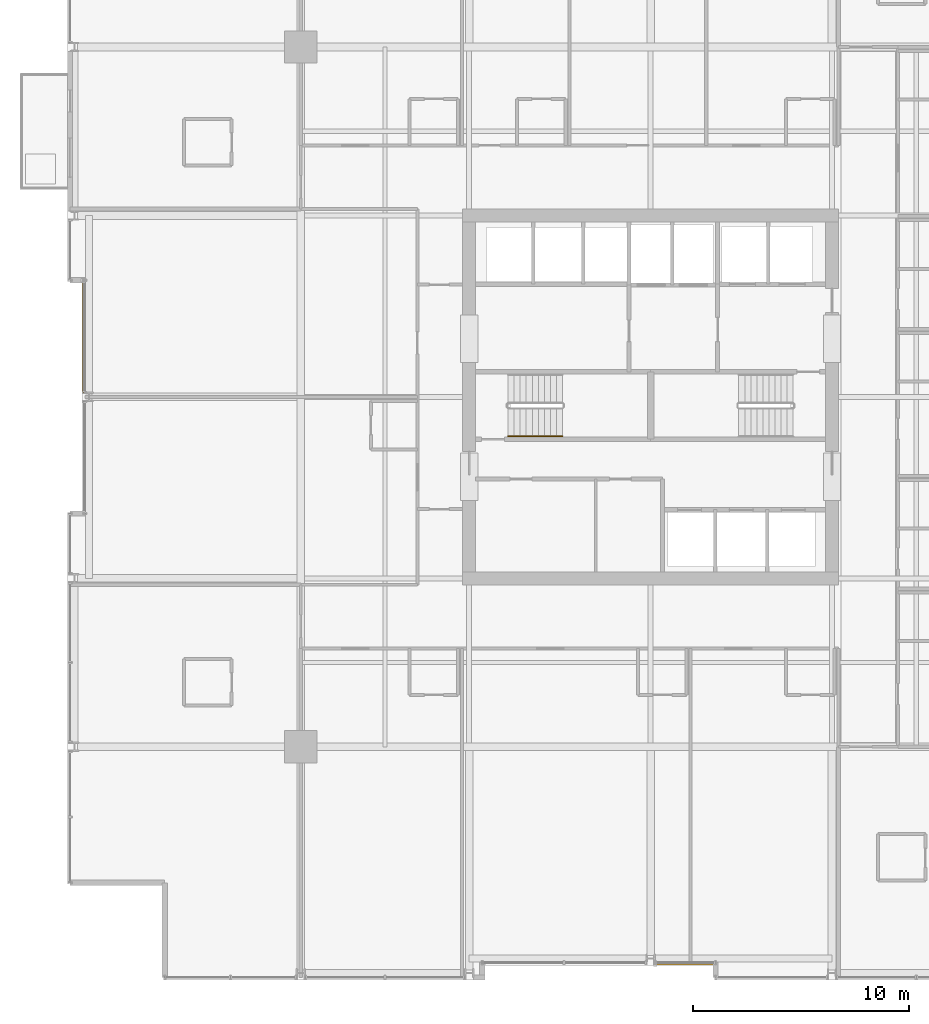
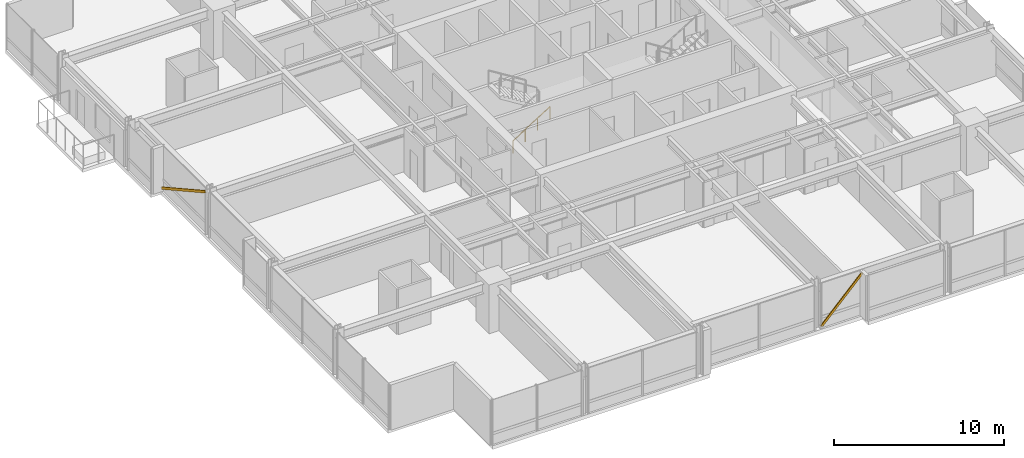
# One storey, part 33 of 35: 2 shading devices, 1 railing.
"""IFC4 building model written with IfcOpenShell, lengths in metres."""

from ifc_helpers import new_model, si_unit, direction, frame, origin, origin_2d, place, context, subcontext, project, spatial, hollow_rectangle, circle, extrude, material, material_profile, profile_set, type_object, element, save


model = new_model("IFC4")

# Units and contexts
model_context = context("Model", 3, precision=1e-05, world=origin(), true_north=direction((0.0, 1.0)))
body_context = subcontext(model_context, "Body", "Model", "MODEL_VIEW")
ifc_project = project(units=[si_unit("LENGTHUNIT", "METRE"), si_unit("AREAUNIT", "SQUARE_METRE"), si_unit("VOLUMEUNIT", "CUBIC_METRE"), si_unit("PLANEANGLEUNIT", "RADIAN"), si_unit("MASSUNIT", "GRAM", prefix="KILO")], contexts=[model_context])

# Site, building, storey
site_placement = place(None, origin())
site = spatial("IfcSite", under=ifc_project, at=site_placement, CompositionType="ELEMENT")
building_placement = place(site_placement, origin())
building = spatial("IfcBuilding", under=site, at=building_placement, Name="Drelvath Grand Hotel", CompositionType="ELEMENT")
storey_placement = place(building_placement, frame((0.0, 0.0, 123.300048828125)))
storey = spatial("IfcBuildingStorey", under=building, at=storey_placement, Name="L31", CompositionType="ELEMENT", Elevation=123.300048828125)

# Railing
ifc_material_1 = material(Name="Painted Steel S275", Category="steel")
railing_type = type_object("IfcRailingType", Name="Core Stair Wall Handrail 900", PredefinedType="HANDRAIL", material=ifc_material_1)
railing_placement = place(storey_placement, frame((-6.60009765625, 25.169921875, 0.175048828125)))
element("IfcRailing", 1, at=railing_placement, inside=storey, type_object=railing_type, Name="L31 ST-1 stair handrail 1", PredefinedType="HANDRAIL", context=body_context, shape_type="SweptSolid", body=[
    extrude(circle(Radius=0.02392578125, at=origin_2d()), frame((0.0, 0.0, 0.8759765625), z_axis=(0.848007534815, 0.0, 0.529984170421), x_axis=(0.0, 1.0, 0.0)), (0.0, 0.0, 1.0), 2.9716796875),
    extrude(circle(Radius=0.02099609375, at=origin_2d()), origin(), (0.0, 0.0, 1.0), 0.851806640625),
    extrude(circle(Radius=0.02099609375, at=origin_2d()), frame((0.840087890625, 0.0, 0.52490234375)), (0.0, 0.0, 1.0), 0.851806640625),
    extrude(circle(Radius=0.02099609375, at=origin_2d()), frame((1.679931640625, 0.0, 1.050048828125)), (0.0, 0.0, 1.0), 0.851806640625),
    extrude(circle(Radius=0.02099609375, at=origin_2d()), frame((2.52001953125, 0.0, 1.574951171875)), (0.0, 0.0, 1.0), 0.851806640625),
])

# Shading devices
ifc_material_2 = material(Name="Champagne Bronze Anodised Aluminium", Category="aluminium")
ifc_material_profile = material_profile(ifc_material_2, hollow_rectangle(XDim=0.06494140625, YDim=0.159912109375, WallThickness=0.00390625, at=origin_2d()), Name="HSS160X65X4")
ifc_profile_set = profile_set([ifc_material_profile], Name="Champagne Bronze Anodised Aluminium")
shading_device_type = type_object("IfcShadingDeviceType", Name="Diagonal Solar Fin Champagne Anodised HSS160X65X4", PredefinedType="USERDEFINED", material=ifc_profile_set)
shading_device_1_placement = place(storey_placement, frame((-26.280029296875, 32.39990234375, 0.179931640625), z_axis=(0.0, -0.874403549895, 0.485199373383), x_axis=(1.0, 0.0, 0.0)))
element("IfcShadingDevice", 2, at=shading_device_1_placement, inside=storey, type_object=shading_device_type, Name="L31 Diagonal Anodised Fin CW03-L31-WM2", ObjectType="FIN", PredefinedType="USERDEFINED", context=body_context, shape_type="SweptSolid", body=[
    extrude(hollow_rectangle(XDim=0.06494140625, YDim=0.159912109375, WallThickness=0.00390625, at=origin_2d()), origin(), (0.0, 0.0, 1.0), 5.93603515625),
])
shading_device_2_placement = place(storey_placement, frame((0.20947265625, 0.719970703125, 0.179931640625), z_axis=(0.69584722953, 0.0, 0.718189830863), x_axis=(0.0, 1.0, 0.0)))
element("IfcShadingDevice", 3, at=shading_device_2_placement, inside=storey, type_object=shading_device_type, Name="L31 Diagonal Anodised Fin CW03-L31-SM2", ObjectType="FIN", PredefinedType="USERDEFINED", context=body_context, shape_type="SweptSolid", body=[
    extrude(hollow_rectangle(XDim=0.06494140625, YDim=0.159912109375, WallThickness=0.00390625, at=origin_2d()), origin(), (0.0, 0.0, 1.0), 4.01025390625),
])

save(model, "model.ifc")
